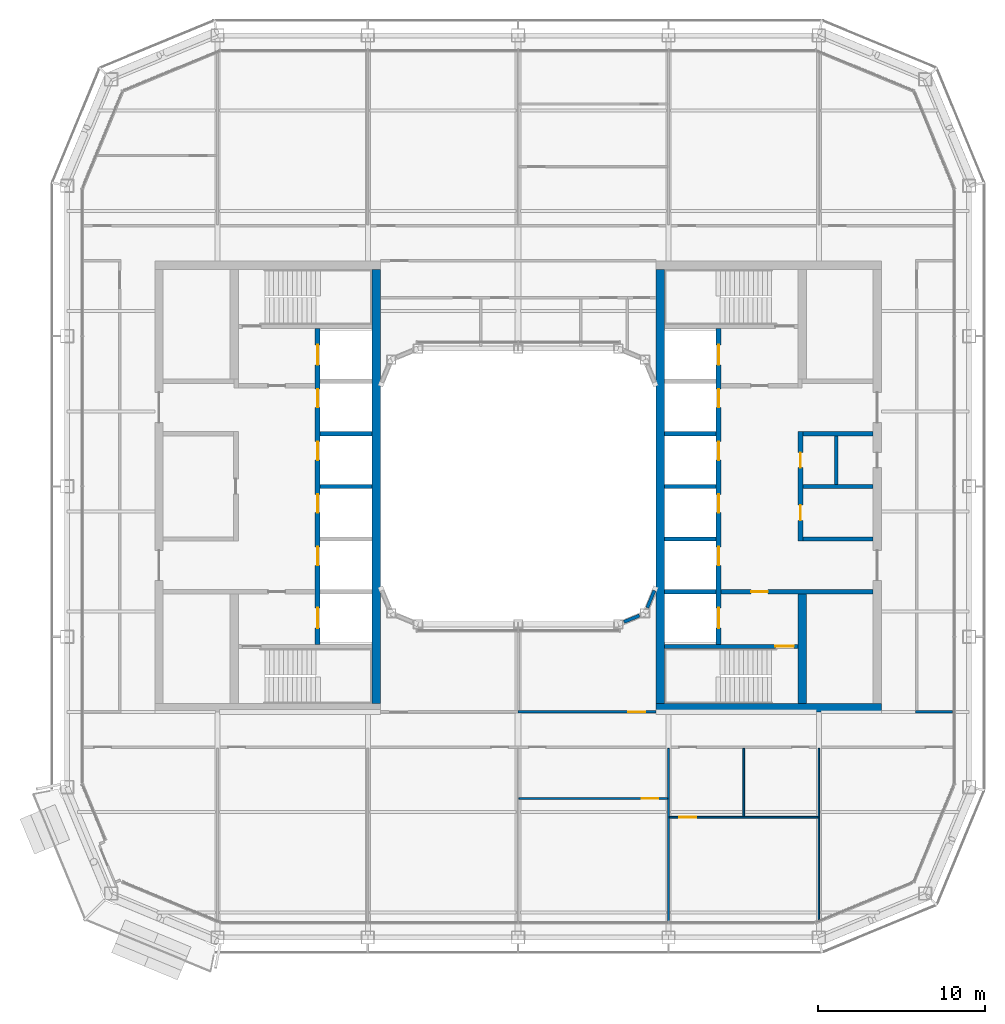
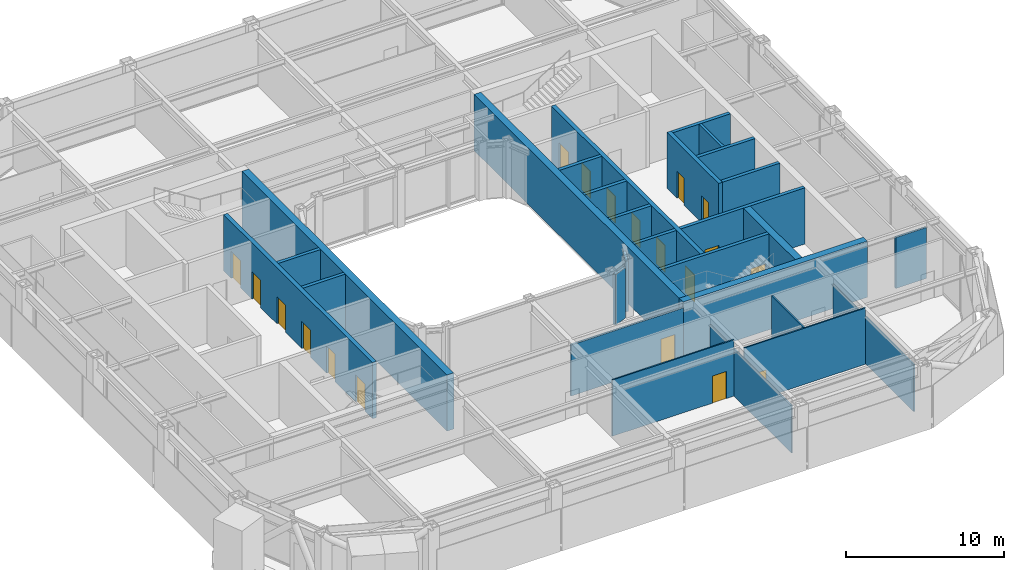
# One storey, part 14 of 23: 28 walls, 19 doors, 19 openings.
"""IFC4 building model written with IfcOpenShell, lengths in metres."""

import ifcopenshell
import ifcopenshell.guid

model = None  # the IFC model being written
_history = None  # IfcOwnerHistory: only IFC2X3 demands one
_inside = {}  # id of a spatial element -> (the spatial element, [elements in it])
_under = {}  # id of a project, library or spatial element -> (it, [spatial elements below it])
_declared = {}  # id of a project -> (the project, [libraries it declares])
_typed = {}  # id of a type object -> (the type object, [elements of that type])
_made_of = {}  # id of a material, layer set ... -> (it, [elements and type objects made of it])


def new_model(schema):
    """Start an empty IFC model of exactly this schema.

    Asked for "IFC4X3", IfcOpenShell would pick the latest addendum, in which some entities
    have other attributes; the version numbers below select the first issue.
    IFC2X3 requires an IfcOwnerHistory on every rooted entity: one is made here for all.
    """
    global model, _history
    if schema == "IFC4X3":
        model = ifcopenshell.file(schema_version=(4, 3, 0, 0))
    else:
        model = ifcopenshell.file(schema=schema)
    _inside.clear()
    _under.clear()
    _declared.clear()
    _typed.clear()
    _made_of.clear()
    _history = None
    if model.schema == "IFC2X3":
        org = make("IfcOrganization", Name="unknown")
        user = make(
            "IfcPersonAndOrganization",
            ThePerson=make("IfcPerson", FamilyName="unknown"),
            TheOrganization=org,
        )
        app = make(
            "IfcApplication",
            ApplicationDeveloper=org,
            Version="unknown",
            ApplicationFullName="unknown",
            ApplicationIdentifier="unknown",
        )
        _history = make(
            "IfcOwnerHistory",
            OwningUser=user,
            OwningApplication=app,
            ChangeAction="ADDED",
            CreationDate=0,
        )
    return model


def make(cls, **values):
    """One entity of the class cls with the attributes given. An attribute that is None is left unset."""
    return model.create_entity(
        cls, **{name: value for name, value in values.items() if value is not None}
    )


def rooted(cls, **values):
    """An entity with a GlobalId (a new one), such as an element, a storey or a relation."""
    return make(cls, GlobalId=ifcopenshell.guid.new(), OwnerHistory=_history, **values)


def si_unit(unit_type, name, prefix=None):
    """IfcSIUnit, for example si_unit("LENGTHUNIT", "METRE", prefix="MILLI")."""
    return make("IfcSIUnit", UnitType=unit_type, Prefix=prefix, Name=name)


def assignment(units):
    """IfcUnitAssignment: the units of a project."""
    return None if units is None else make("IfcUnitAssignment", Units=units)


def point(xyz):
    """IfcCartesianPoint."""
    return None if xyz is None else make("IfcCartesianPoint", Coordinates=xyz)


def direction(xyz):
    """IfcDirection."""
    return None if xyz is None else make("IfcDirection", DirectionRatios=xyz)


def frame(location, z_axis=None, x_axis=None):
    """IfcAxis2Placement3D, a coordinate frame: its origin and axes. An axis left out is left unset."""
    return make(
        "IfcAxis2Placement3D",
        Location=point(location),
        Axis=direction(z_axis),
        RefDirection=direction(x_axis),
    )


def frame_2d(location, x_axis=None):
    """IfcAxis2Placement2D, a coordinate frame in the plane: its origin and x axis."""
    return make(
        "IfcAxis2Placement2D", Location=point(location), RefDirection=direction(x_axis)
    )


def origin():
    """The frame at (0, 0, 0) with its axes left unset."""
    return frame((0.0, 0.0, 0.0))


def place(relative_to, where):
    """IfcLocalPlacement: puts the frame where relative to a parent placement (None: the world)."""
    return make(
        "IfcLocalPlacement", PlacementRelTo=relative_to, RelativePlacement=where
    )


def context(
    kind, dimensions, precision=None, world=None, true_north=None, identifier=None
):
    """IfcGeometricRepresentationContext, for example the 3D "Model" context."""
    return make(
        "IfcGeometricRepresentationContext",
        ContextIdentifier=identifier,
        ContextType=kind,
        CoordinateSpaceDimension=dimensions,
        Precision=precision,
        WorldCoordinateSystem=world,
        TrueNorth=true_north,
    )


def subcontext(parent, identifier, kind, view, scale=None):
    """IfcGeometricRepresentationSubContext, for example "Body" below "Model"."""
    return make(
        "IfcGeometricRepresentationSubContext",
        ContextIdentifier=identifier,
        ContextType=kind,
        ParentContext=parent,
        TargetScale=scale,
        TargetView=view,
    )


def project(units=None, contexts=None):
    """IfcProject with its units and contexts."""
    return rooted(
        "IfcProject",
        Name="project",
        RepresentationContexts=contexts,
        UnitsInContext=assignment(units),
    )


def spatial(cls, under=None, at=None, **own):
    """A site, building, storey or space (cls), placed at a placement, below another one or the project."""
    s = rooted(cls, ObjectPlacement=at, **own)
    if under is not None:
        _under.setdefault(under.id(), (under, []))[1].append(s)
    return s


def profile(cls, at=None, kind="AREA", **sizes):
    """A parametric profile (cls). Its sizes go by their IFC names, for example OverallWidth=200.0."""
    return make(cls, ProfileType=kind, Position=at, **sizes)


def rectangle(**sizes):
    """IfcRectangleProfileDef."""
    return profile("IfcRectangleProfileDef", **sizes)


def extrude(swept, where, along, depth):
    """IfcExtrudedAreaSolid: the profile swept, set in the frame where, extruded along a direction by depth."""
    return make(
        "IfcExtrudedAreaSolid",
        SweptArea=swept,
        Position=where,
        ExtrudedDirection=direction(along),
        Depth=depth,
    )


def shape(context_of_items, identifier, shape_type, items):
    """IfcShapeRepresentation: the items that make up one representation, for example the "Body"."""
    return make(
        "IfcShapeRepresentation",
        ContextOfItems=context_of_items,
        RepresentationIdentifier=identifier,
        RepresentationType=shape_type,
        Items=items,
    )


def material(Name=None, Category=None):
    """IfcMaterial."""
    return make("IfcMaterial", Name=Name, Category=Category)


def layer(
    of_material, thickness, ventilated=None, Name=None, Category=None, Priority=None
):
    """IfcMaterialLayer: one layer of a wall or slab, of a material (None: an air gap)."""
    return make(
        "IfcMaterialLayer",
        Material=of_material,
        LayerThickness=thickness,
        IsVentilated=ventilated,
        Name=Name,
        Category=Category,
        Priority=Priority,
    )


def layer_set(layers, Name=None):
    """IfcMaterialLayerSet."""
    return make("IfcMaterialLayerSet", MaterialLayers=layers, LayerSetName=Name)


def made_of(thing, what):
    """Note that an element or type object is made of a material, layer set ...; save() writes the relation."""
    if what is not None:
        _made_of.setdefault(what.id(), (what, []))[1].append(thing)
    return thing


def type_object(cls, material=None, **own):
    """A type object (cls), such as IfcWallType, which elements share."""
    return made_of(rooted(cls, **own), material)


def element(
    cls,
    number,
    at=None,
    inside=None,
    cuts=None,
    type_object=None,
    material=None,
    context=None,
    identifier="Body",
    shape_type=None,
    held_by="IfcProductDefinitionShape",
    body=None,
    shapes=None,
    **own,
):
    """One element of the class cls, such as IfcWall. Its Tag is "e" and its number.

    at: its placement. inside: the storey or other place that contains it. cuts: it is an
    opening in that element (IfcRelVoidsElement). A single representation is given by context,
    identifier, shape_type and body (its items); several are given by shapes. held_by: the class
    of the entity that holds the representations. save() writes the other relations.
    """
    e = rooted(cls, Tag="e%d" % number, ObjectPlacement=at, **own)
    if body is not None:
        shapes = [shape(context, identifier, shape_type, body)]
    if shapes is not None:
        e.Representation = make(held_by, Representations=shapes)
    if inside is not None:
        _inside.setdefault(inside.id(), (inside, []))[1].append(e)
    if cuts is not None:
        rooted(
            "IfcRelVoidsElement", RelatingBuildingElement=cuts, RelatedOpeningElement=e
        )
    if type_object is not None:
        _typed.setdefault(type_object.id(), (type_object, []))[1].append(e)
    return made_of(e, material)


def fill(opening, filler):
    """IfcRelFillsElement: the door or window that sits in an opening."""
    return rooted(
        "IfcRelFillsElement",
        RelatingOpeningElement=opening,
        RelatedBuildingElement=filler,
    )


def aggregate(whole, parts):
    """IfcRelAggregates: a whole, such as a stair, and the parts it consists of."""
    return rooted("IfcRelAggregates", RelatingObject=whole, RelatedObjects=parts)


def save(model, path):
    """Write the relations noted so far, then the file.

    IfcRelAggregates (storeys below a building ...), IfcRelContainedInSpatialStructure (elements
    in a storey), IfcRelDefinesByType, IfcRelAssociatesMaterial and IfcRelDeclares: one each for
    every whole, place, type object, material and project.
    """
    for whole, parts in _under.values():
        aggregate(whole, parts)
    for where, things in _inside.values():
        rooted(
            "IfcRelContainedInSpatialStructure",
            RelatedElements=things,
            RelatingStructure=where,
        )
    for kind, things in _typed.values():
        rooted("IfcRelDefinesByType", RelatedObjects=things, RelatingType=kind)
    for what, things in _made_of.values():
        rooted("IfcRelAssociatesMaterial", RelatedObjects=things, RelatingMaterial=what)
    for by, libraries in _declared.values():
        rooted("IfcRelDeclares", RelatingContext=by, RelatedDefinitions=libraries)
    model.write(path)


model = new_model("IFC4")

# Units and contexts
model_context = context("Model", 3, precision=1e-05, world=origin(), true_north=direction((0.0, 1.0)))
body_context = subcontext(model_context, "Body", "Model", "MODEL_VIEW")
ifc_project = project(units=[si_unit("LENGTHUNIT", "METRE"), si_unit("AREAUNIT", "SQUARE_METRE"), si_unit("VOLUMEUNIT", "CUBIC_METRE"), si_unit("PLANEANGLEUNIT", "RADIAN"), si_unit("MASSUNIT", "GRAM", prefix="KILO")], contexts=[model_context])

# Site, building, storey
site_placement = place(None, origin())
site = spatial("IfcSite", under=ifc_project, at=site_placement, CompositionType="ELEMENT")
building_placement = place(site_placement, origin())
building = spatial("IfcBuilding", under=site, at=building_placement, Name="Siwar Civic Tower", CompositionType="ELEMENT")
storey_placement = place(building_placement, frame((0.0, 0.0, 269.199951171875)))
storey = spatial("IfcBuildingStorey", under=building, at=storey_placement, Name="L58", CompositionType="ELEMENT", Elevation=269.199951171875)

# Walls
ifc_material_1 = material(Name="Gypsum board on steel studs", Category="steel")
ifc_layer_1 = layer(ifc_material_1, 0.199951171875)
ifc_layer_set_1 = layer_set([ifc_layer_1], Name="Gypsum board on steel studs")
wall_type_1 = type_object("IfcWallType", Name="CORE-PARTITION-200", PredefinedType="PARTITIONING", material=ifc_layer_set_1)
wall_1_placement = place(storey_placement, frame((19.050048828125, 0.125, 0.0), z_axis=(0.0, 0.0, 1.0), x_axis=(0.0, 1.0, 0.0)))
element("IfcWall", 1, at=wall_1_placement, inside=storey, type_object=wall_type_1, Name="Core partition E", PredefinedType="PARTITIONING", context=body_context, shape_type="SweptSolid", body=[
    extrude(rectangle(XDim=2.89990234375, YDim=0.199951171875, at=frame_2d((1.449951171875, 0.0))), origin(), (0.0, 0.0, 1.0), 4.35009765625),
])
ifc_material_2 = material(Name="Concrete C60/75", Category="concrete")
ifc_layer_2 = layer(ifc_material_2, 0.25)
ifc_layer_set_2 = layer_set([ifc_layer_2], Name="Concrete C60/75")
wall_type_2 = type_object("IfcWallType", Name="CORE-WALL-RC250", PredefinedType="SHEAR", material=ifc_layer_set_2)
for number, where, z_axis, x_axis, name in (
    (2, (-8.75, 0.0, 0.0), (0.0, 0.0, 1.0), (-1.0, 0.0, 0.0), "Core wall W"),
    (3, (-8.75, 3.14990234375, 0.0), (0.0, 0.0, 1.0), (-1.0, 0.0, 0.0), "Core wall W"),
):
    element("IfcWall", number, at=place(storey_placement, frame(where, z_axis=z_axis, x_axis=x_axis)), inside=storey, type_object=wall_type_2, Name=name, PredefinedType="SHEAR", context=body_context, shape_type="SweptSolid", body=[
        extrude(rectangle(XDim=3.10009765625, YDim=0.25, at=frame_2d((1.550048828125, 0.0))), origin(), (0.0, 0.0, 1.0), 4.35009765625),
    ])

# Wall, opening, door
wall_2_placement = place(storey_placement, frame((12.14990234375, -6.300048828125, 0.0), z_axis=(0.0, 0.0, 1.0), x_axis=(1.0, 0.0, 0.0)))
wall_2 = element("IfcWall", 4, at=wall_2_placement, inside=storey, type_object=wall_type_2, Name="Core wall E", PredefinedType="SHEAR", context=body_context, shape_type="SweptSolid", body=[
    extrude(rectangle(XDim=9.10009765625, YDim=0.25, at=frame_2d((4.550048828125, 0.0))), origin(), (0.0, 0.0, 1.0), 4.35009765625),
])
opening_1_placement = place(wall_2_placement, frame((1.800048828125, 0.0, 0.0)))
opening_1 = element("IfcOpeningElement", 5, at=opening_1_placement, cuts=wall_2, Name="Opening L58-CE02", PredefinedType="OPENING", context=body_context, shape_type="SweptSolid", body=[
    extrude(rectangle(XDim=1.0, YDim=2.10009765625, at=frame_2d((0.5, 1.050048828125))), frame((0.0, 0.135009765625, 0.0), z_axis=(0.0, -1.0, 0.0), x_axis=(1.0, 0.0, 0.0)), (0.0, 0.0, 1.0), 0.27001953125),
])
ifc_material_3 = material(Name="Steel door leaf", Category="steel")
door_type_1 = type_object("IfcDoorType", Name="CORE-DOOR-FD30S", OperationType="SINGLE_SWING_LEFT", PredefinedType="DOOR", material=ifc_material_3)
door_1_placement = place(opening_1_placement, origin())
door_1 = element("IfcDoor", 6, at=door_1_placement, inside=storey, type_object=door_type_1, Name="Service lobby door L58-CE02", OperationType="SINGLE_SWING_LEFT", OverallHeight=2.10009765625, OverallWidth=1.0, PredefinedType="DOOR", context=body_context, shape_type="SweptSolid", body=[
    extrude(rectangle(XDim=1.0, YDim=2.10009765625, at=frame_2d((0.5, 1.050048828125))), frame((0.0, 0.02490234375, 0.0), z_axis=(0.0, -1.0, 0.0), x_axis=(1.0, 0.0, 0.0)), (0.0, 0.0, 1.0), 0.050048828125),
])
fill(opening_1, door_1)

# Walls
for number, where, z_axis, x_axis, name in (
    (7, (17.050048828125, 0.0, 0.0), (0.0, 0.0, 1.0), (1.0, 0.0, 0.0), "Core wall E"),
    (8, (17.050048828125, 3.14990234375, 0.0), (0.0, 0.0, 1.0), (1.0, 0.0, 0.0), "Core wall E"),
    (9, (17.050048828125, -3.14990234375, 0.0), (0.0, 0.0, 1.0), (1.0, 0.0, 0.0), "Core wall E"),
):
    element("IfcWall", number, at=place(storey_placement, frame(where, z_axis=z_axis, x_axis=x_axis)), inside=storey, type_object=wall_type_2, Name=name, PredefinedType="SHEAR", context=body_context, shape_type="SweptSolid", body=[
        extrude(rectangle(XDim=4.199951171875, YDim=0.25, at=frame_2d((2.10009765625, 0.0))), origin(), (0.0, 0.0, 1.0), 4.35009765625),
    ])
for number, where, z_axis, x_axis, name in (
    (10, (8.75, 0.0, 0.0), (0.0, 0.0, 1.0), (1.0, 0.0, 0.0), "Core wall E"),
    (11, (8.75, 3.14990234375, 0.0), (0.0, 0.0, 1.0), (1.0, 0.0, 0.0), "Core wall E"),
    (12, (8.75, -3.14990234375, 0.0), (0.0, 0.0, 1.0), (1.0, 0.0, 0.0), "Core wall E"),
    (13, (8.75, -6.300048828125, 0.0), (0.0, 0.0, 1.0), (1.0, 0.0, 0.0), "Core wall E"),
):
    element("IfcWall", number, at=place(storey_placement, frame(where, z_axis=z_axis, x_axis=x_axis)), inside=storey, type_object=wall_type_2, Name=name, PredefinedType="SHEAR", context=body_context, shape_type="SweptSolid", body=[
        extrude(rectangle(XDim=3.10009765625, YDim=0.25, at=frame_2d((1.550048828125, 0.0))), origin(), (0.0, 0.0, 1.0), 4.35009765625),
    ])

# Wall, opening, door
wall_3_placement = place(storey_placement, frame((8.75, -9.574951171875, 0.0), z_axis=(0.0, 0.0, 1.0), x_axis=(1.0, 0.0, 0.0)))
wall_3 = element("IfcWall", 14, at=wall_3_placement, inside=storey, type_object=wall_type_2, Name="Core wall E", PredefinedType="SHEAR", context=body_context, shape_type="SweptSolid", body=[
    extrude(rectangle(XDim=8.0, YDim=0.25, at=frame_2d((4.0, 0.0))), origin(), (0.0, 0.0, 1.0), 4.35009765625),
])
opening_2_placement = place(wall_3_placement, frame((6.64990234375, 0.0, 0.0)))
opening_2 = element("IfcOpeningElement", 15, at=opening_2_placement, cuts=wall_3, Name="Opening L58-CE04", PredefinedType="OPENING", context=body_context, shape_type="SweptSolid", body=[
    extrude(rectangle(XDim=1.10009765625, YDim=2.10009765625, at=frame_2d((0.550048828125, 1.050048828125))), frame((0.0, 0.135009765625, 0.0), z_axis=(0.0, -1.0, 0.0), x_axis=(1.0, 0.0, 0.0)), (0.0, 0.0, 1.0), 0.27001953125),
])
ifc_material_4 = material(Name="Steel door leaf", Category="steel")
door_type_2 = type_object("IfcDoorType", Name="CORE-DOOR-FD60S", OperationType="SINGLE_SWING_LEFT", PredefinedType="DOOR", material=ifc_material_4)
door_2_placement = place(opening_2_placement, origin())
door_2 = element("IfcDoor", 16, at=door_2_placement, inside=storey, type_object=door_type_2, Name="Stair door L58-CE04", OperationType="SINGLE_SWING_RIGHT", OverallHeight=2.10009765625, OverallWidth=1.10009765625, PredefinedType="DOOR", context=body_context, shape_type="SweptSolid", body=[
    extrude(rectangle(XDim=1.10009765625, YDim=2.10009765625, at=frame_2d((0.550048828125, 1.050048828125))), frame((0.0, 0.02490234375, 0.0), z_axis=(0.0, -1.0, 0.0), x_axis=(1.0, 0.0, 0.0)), (0.0, 0.0, 1.0), 0.050048828125),
])
fill(opening_2, door_2)

# Wall, openings, doors
ifc_material_5 = material(Name="Concrete C60/75", Category="concrete")
ifc_layer_3 = layer(ifc_material_5, 0.300048828125)
ifc_layer_set_3 = layer_set([ifc_layer_3], Name="Concrete C60/75")
wall_type_3 = type_object("IfcWallType", Name="CORE-WALL-RC300", PredefinedType="SHEAR", material=ifc_layer_set_3)
wall_4_placement = place(storey_placement, frame((-12.0, -9.449951171875, 0.0), z_axis=(0.0, 0.0, 1.0), x_axis=(0.0, 1.0, 0.0)))
wall_4 = element("IfcWall", 17, at=wall_4_placement, inside=storey, type_object=wall_type_3, Name="Core wall W", PredefinedType="SHEAR", context=body_context, shape_type="SweptSolid", body=[
    extrude(rectangle(XDim=18.89990234375, YDim=0.300048828125, at=frame_2d((9.449951171875, 0.0))), origin(), (0.0, 0.0, 1.0), 4.35009765625),
])
opening_3_placement = place(wall_4_placement, frame((4.72509765625, 0.0, 0.0)))
opening_3 = element("IfcOpeningElement", 18, at=opening_3_placement, cuts=wall_4, Name="Opening L58-CW07", PredefinedType="OPENING", context=body_context, shape_type="SweptSolid", body=[
    extrude(rectangle(XDim=1.10009765625, YDim=2.10009765625, at=frame_2d((0.550048828125, 1.050048828125))), frame((0.0, 0.16015625, 0.0), z_axis=(0.0, -1.0, 0.0), x_axis=(1.0, 0.0, 0.0)), (0.0, 0.0, 1.0), 0.320068359375),
])
opening_4_placement = place(wall_4_placement, frame((7.875, 0.0, 0.0)))
opening_4 = element("IfcOpeningElement", 19, at=opening_4_placement, cuts=wall_4, Name="Opening L58-CW08", PredefinedType="OPENING", context=body_context, shape_type="SweptSolid", body=[
    extrude(rectangle(XDim=1.10009765625, YDim=2.10009765625, at=frame_2d((0.550048828125, 1.050048828125))), frame((0.0, 0.16015625, 0.0), z_axis=(0.0, -1.0, 0.0), x_axis=(1.0, 0.0, 0.0)), (0.0, 0.0, 1.0), 0.320068359375),
])
opening_5_placement = place(wall_4_placement, frame((11.02490234375, 0.0, 0.0)))
opening_5 = element("IfcOpeningElement", 20, at=opening_5_placement, cuts=wall_4, Name="Opening L58-CW09", PredefinedType="OPENING", context=body_context, shape_type="SweptSolid", body=[
    extrude(rectangle(XDim=1.10009765625, YDim=2.10009765625, at=frame_2d((0.550048828125, 1.050048828125))), frame((0.0, 0.16015625, 0.0), z_axis=(0.0, -1.0, 0.0), x_axis=(1.0, 0.0, 0.0)), (0.0, 0.0, 1.0), 0.320068359375),
])
opening_6_placement = place(wall_4_placement, frame((14.175048828125, 0.0, 0.0)))
opening_6 = element("IfcOpeningElement", 21, at=opening_6_placement, cuts=wall_4, Name="Opening L58-CW10", PredefinedType="OPENING", context=body_context, shape_type="SweptSolid", body=[
    extrude(rectangle(XDim=1.10009765625, YDim=2.10009765625, at=frame_2d((0.550048828125, 1.050048828125))), frame((0.0, 0.16015625, 0.0), z_axis=(0.0, -1.0, 0.0), x_axis=(1.0, 0.0, 0.0)), (0.0, 0.0, 1.0), 0.320068359375),
])
opening_7_placement = place(wall_4_placement, frame((16.72509765625, 0.0, 0.0)))
opening_7 = element("IfcOpeningElement", 22, at=opening_7_placement, cuts=wall_4, Name="Opening L58-CW11", PredefinedType="OPENING", context=body_context, shape_type="SweptSolid", body=[
    extrude(rectangle(XDim=1.199951171875, YDim=2.10009765625, at=frame_2d((0.60009765625, 1.050048828125))), frame((0.0, 0.16015625, 0.0), z_axis=(0.0, -1.0, 0.0), x_axis=(1.0, 0.0, 0.0)), (0.0, 0.0, 1.0), 0.320068359375),
])
opening_8_placement = place(wall_4_placement, frame((0.97509765625, 0.0, 0.0)))
opening_8 = element("IfcOpeningElement", 23, at=opening_8_placement, cuts=wall_4, Name="Opening L58-CW12", PredefinedType="OPENING", context=body_context, shape_type="SweptSolid", body=[
    extrude(rectangle(XDim=1.199951171875, YDim=2.10009765625, at=frame_2d((0.60009765625, 1.050048828125))), frame((0.0, 0.16015625, 0.0), z_axis=(0.0, -1.0, 0.0), x_axis=(1.0, 0.0, 0.0)), (0.0, 0.0, 1.0), 0.320068359375),
])
ifc_material_6 = material(Name="Steel door leaf", Category="steel")
door_type_3 = type_object("IfcDoorType", Name="CORE-DOOR-LD", OperationType="DOUBLE_DOOR_SLIDING", PredefinedType="DOOR", material=ifc_material_6)
door_3_placement = place(opening_3_placement, origin())
door_3 = element("IfcDoor", 24, at=door_3_placement, inside=storey, type_object=door_type_3, Name="Landing door HR1 L58-CW07", OperationType="DOUBLE_DOOR_SLIDING", OverallHeight=2.10009765625, OverallWidth=1.10009765625, PredefinedType="DOOR", context=body_context, shape_type="SweptSolid", body=[
    extrude(rectangle(XDim=1.10009765625, YDim=2.10009765625, at=frame_2d((0.550048828125, 1.050048828125))), frame((0.0, 0.02490234375, 0.0), z_axis=(0.0, -1.0, 0.0), x_axis=(1.0, 0.0, 0.0)), (0.0, 0.0, 1.0), 0.050048828125),
])
fill(opening_3, door_3)
door_4_placement = place(opening_4_placement, origin())
door_4 = element("IfcDoor", 25, at=door_4_placement, inside=storey, type_object=door_type_3, Name="Landing door HR2 L58-CW08", OperationType="DOUBLE_DOOR_SLIDING", OverallHeight=2.10009765625, OverallWidth=1.10009765625, PredefinedType="DOOR", context=body_context, shape_type="SweptSolid", body=[
    extrude(rectangle(XDim=1.10009765625, YDim=2.10009765625, at=frame_2d((0.550048828125, 1.050048828125))), frame((0.0, 0.02490234375, 0.0), z_axis=(0.0, -1.0, 0.0), x_axis=(1.0, 0.0, 0.0)), (0.0, 0.0, 1.0), 0.050048828125),
])
fill(opening_4, door_4)
door_5_placement = place(opening_5_placement, origin())
door_5 = element("IfcDoor", 26, at=door_5_placement, inside=storey, type_object=door_type_3, Name="Landing door HR3 L58-CW09", OperationType="DOUBLE_DOOR_SLIDING", OverallHeight=2.10009765625, OverallWidth=1.10009765625, PredefinedType="DOOR", context=body_context, shape_type="SweptSolid", body=[
    extrude(rectangle(XDim=1.10009765625, YDim=2.10009765625, at=frame_2d((0.550048828125, 1.050048828125))), frame((0.0, 0.02490234375, 0.0), z_axis=(0.0, -1.0, 0.0), x_axis=(1.0, 0.0, 0.0)), (0.0, 0.0, 1.0), 0.050048828125),
])
fill(opening_5, door_5)
door_6_placement = place(opening_6_placement, origin())
door_6 = element("IfcDoor", 27, at=door_6_placement, inside=storey, type_object=door_type_3, Name="Landing door HR4 L58-CW10", OperationType="DOUBLE_DOOR_SLIDING", OverallHeight=2.10009765625, OverallWidth=1.10009765625, PredefinedType="DOOR", context=body_context, shape_type="SweptSolid", body=[
    extrude(rectangle(XDim=1.10009765625, YDim=2.10009765625, at=frame_2d((0.550048828125, 1.050048828125))), frame((0.0, 0.02490234375, 0.0), z_axis=(0.0, -1.0, 0.0), x_axis=(1.0, 0.0, 0.0)), (0.0, 0.0, 1.0), 0.050048828125),
])
fill(opening_6, door_6)
ifc_material_7 = material(Name="Steel door leaf", Category="steel")
door_type_4 = type_object("IfcDoorType", Name="CORE-DOOR-LDW", OperationType="DOUBLE_DOOR_SLIDING", PredefinedType="DOOR", material=ifc_material_7)
door_7_placement = place(opening_7_placement, origin())
door_7 = element("IfcDoor", 28, at=door_7_placement, inside=storey, type_object=door_type_4, Name="Landing door FF1 L58-CW11", OperationType="DOUBLE_DOOR_SLIDING", OverallHeight=2.10009765625, OverallWidth=1.199951171875, PredefinedType="DOOR", context=body_context, shape_type="SweptSolid", body=[
    extrude(rectangle(XDim=1.199951171875, YDim=2.10009765625, at=frame_2d((0.60009765625, 1.050048828125))), frame((0.0, 0.02490234375, 0.0), z_axis=(0.0, -1.0, 0.0), x_axis=(1.0, 0.0, 0.0)), (0.0, 0.0, 1.0), 0.050048828125),
])
fill(opening_7, door_7)
door_8_placement = place(opening_8_placement, origin())
door_8 = element("IfcDoor", 29, at=door_8_placement, inside=storey, type_object=door_type_4, Name="Landing door SV1 L58-CW12", OperationType="DOUBLE_DOOR_SLIDING", OverallHeight=2.10009765625, OverallWidth=1.199951171875, PredefinedType="DOOR", context=body_context, shape_type="SweptSolid", body=[
    extrude(rectangle(XDim=1.199951171875, YDim=2.10009765625, at=frame_2d((0.60009765625, 1.050048828125))), frame((0.0, 0.02490234375, 0.0), z_axis=(0.0, -1.0, 0.0), x_axis=(1.0, 0.0, 0.0)), (0.0, 0.0, 1.0), 0.050048828125),
])
fill(opening_8, door_8)

wall_5_placement = place(storey_placement, frame((12.0, -9.449951171875, 0.0), z_axis=(0.0, 0.0, 1.0), x_axis=(0.0, 1.0, 0.0)))
wall_5 = element("IfcWall", 30, at=wall_5_placement, inside=storey, type_object=wall_type_3, Name="Core wall E", PredefinedType="SHEAR", context=body_context, shape_type="SweptSolid", body=[
    extrude(rectangle(XDim=18.89990234375, YDim=0.300048828125, at=frame_2d((9.449951171875, 0.0))), origin(), (0.0, 0.0, 1.0), 4.35009765625),
])
opening_9_placement = place(wall_5_placement, frame((4.72509765625, 0.0, 0.0)))
opening_9 = element("IfcOpeningElement", 31, at=opening_9_placement, cuts=wall_5, Name="Opening L58-CE07", PredefinedType="OPENING", context=body_context, shape_type="SweptSolid", body=[
    extrude(rectangle(XDim=1.10009765625, YDim=2.10009765625, at=frame_2d((0.550048828125, 1.050048828125))), frame((0.0, 0.16015625, 0.0), z_axis=(0.0, -1.0, 0.0), x_axis=(1.0, 0.0, 0.0)), (0.0, 0.0, 1.0), 0.320068359375),
])
opening_10_placement = place(wall_5_placement, frame((7.875, 0.0, 0.0)))
opening_10 = element("IfcOpeningElement", 32, at=opening_10_placement, cuts=wall_5, Name="Opening L58-CE08", PredefinedType="OPENING", context=body_context, shape_type="SweptSolid", body=[
    extrude(rectangle(XDim=1.10009765625, YDim=2.10009765625, at=frame_2d((0.550048828125, 1.050048828125))), frame((0.0, 0.16015625, 0.0), z_axis=(0.0, -1.0, 0.0), x_axis=(1.0, 0.0, 0.0)), (0.0, 0.0, 1.0), 0.320068359375),
])
opening_11_placement = place(wall_5_placement, frame((11.02490234375, 0.0, 0.0)))
opening_11 = element("IfcOpeningElement", 33, at=opening_11_placement, cuts=wall_5, Name="Opening L58-CE09", PredefinedType="OPENING", context=body_context, shape_type="SweptSolid", body=[
    extrude(rectangle(XDim=1.10009765625, YDim=2.10009765625, at=frame_2d((0.550048828125, 1.050048828125))), frame((0.0, 0.16015625, 0.0), z_axis=(0.0, -1.0, 0.0), x_axis=(1.0, 0.0, 0.0)), (0.0, 0.0, 1.0), 0.320068359375),
])
opening_12_placement = place(wall_5_placement, frame((14.175048828125, 0.0, 0.0)))
opening_12 = element("IfcOpeningElement", 34, at=opening_12_placement, cuts=wall_5, Name="Opening L58-CE10", PredefinedType="OPENING", context=body_context, shape_type="SweptSolid", body=[
    extrude(rectangle(XDim=1.10009765625, YDim=2.10009765625, at=frame_2d((0.550048828125, 1.050048828125))), frame((0.0, 0.16015625, 0.0), z_axis=(0.0, -1.0, 0.0), x_axis=(1.0, 0.0, 0.0)), (0.0, 0.0, 1.0), 0.320068359375),
])
opening_13_placement = place(wall_5_placement, frame((16.72509765625, 0.0, 0.0)))
opening_13 = element("IfcOpeningElement", 35, at=opening_13_placement, cuts=wall_5, Name="Opening L58-CE11", PredefinedType="OPENING", context=body_context, shape_type="SweptSolid", body=[
    extrude(rectangle(XDim=1.199951171875, YDim=2.10009765625, at=frame_2d((0.60009765625, 1.050048828125))), frame((0.0, 0.16015625, 0.0), z_axis=(0.0, -1.0, 0.0), x_axis=(1.0, 0.0, 0.0)), (0.0, 0.0, 1.0), 0.320068359375),
])
opening_14_placement = place(wall_5_placement, frame((0.97509765625, 0.0, 0.0)))
opening_14 = element("IfcOpeningElement", 36, at=opening_14_placement, cuts=wall_5, Name="Opening L58-CE12", PredefinedType="OPENING", context=body_context, shape_type="SweptSolid", body=[
    extrude(rectangle(XDim=1.199951171875, YDim=2.10009765625, at=frame_2d((0.60009765625, 1.050048828125))), frame((0.0, 0.16015625, 0.0), z_axis=(0.0, -1.0, 0.0), x_axis=(1.0, 0.0, 0.0)), (0.0, 0.0, 1.0), 0.320068359375),
])
door_9_placement = place(opening_9_placement, origin())
door_9 = element("IfcDoor", 37, at=door_9_placement, inside=storey, type_object=door_type_3, Name="Landing door HR5 L58-CE07", OperationType="DOUBLE_DOOR_SLIDING", OverallHeight=2.10009765625, OverallWidth=1.10009765625, PredefinedType="DOOR", context=body_context, shape_type="SweptSolid", body=[
    extrude(rectangle(XDim=1.10009765625, YDim=2.10009765625, at=frame_2d((0.550048828125, 1.050048828125))), frame((0.0, 0.02490234375, 0.0), z_axis=(0.0, -1.0, 0.0), x_axis=(1.0, 0.0, 0.0)), (0.0, 0.0, 1.0), 0.050048828125),
])
fill(opening_9, door_9)
door_10_placement = place(opening_10_placement, origin())
door_10 = element("IfcDoor", 38, at=door_10_placement, inside=storey, type_object=door_type_3, Name="Landing door HR6 L58-CE08", OperationType="DOUBLE_DOOR_SLIDING", OverallHeight=2.10009765625, OverallWidth=1.10009765625, PredefinedType="DOOR", context=body_context, shape_type="SweptSolid", body=[
    extrude(rectangle(XDim=1.10009765625, YDim=2.10009765625, at=frame_2d((0.550048828125, 1.050048828125))), frame((0.0, 0.02490234375, 0.0), z_axis=(0.0, -1.0, 0.0), x_axis=(1.0, 0.0, 0.0)), (0.0, 0.0, 1.0), 0.050048828125),
])
fill(opening_10, door_10)
door_11_placement = place(opening_11_placement, origin())
door_11 = element("IfcDoor", 39, at=door_11_placement, inside=storey, type_object=door_type_3, Name="Landing door HR7 L58-CE09", OperationType="DOUBLE_DOOR_SLIDING", OverallHeight=2.10009765625, OverallWidth=1.10009765625, PredefinedType="DOOR", context=body_context, shape_type="SweptSolid", body=[
    extrude(rectangle(XDim=1.10009765625, YDim=2.10009765625, at=frame_2d((0.550048828125, 1.050048828125))), frame((0.0, 0.02490234375, 0.0), z_axis=(0.0, -1.0, 0.0), x_axis=(1.0, 0.0, 0.0)), (0.0, 0.0, 1.0), 0.050048828125),
])
fill(opening_11, door_11)
door_12_placement = place(opening_12_placement, origin())
door_12 = element("IfcDoor", 40, at=door_12_placement, inside=storey, type_object=door_type_3, Name="Landing door HR8 L58-CE10", OperationType="DOUBLE_DOOR_SLIDING", OverallHeight=2.10009765625, OverallWidth=1.10009765625, PredefinedType="DOOR", context=body_context, shape_type="SweptSolid", body=[
    extrude(rectangle(XDim=1.10009765625, YDim=2.10009765625, at=frame_2d((0.550048828125, 1.050048828125))), frame((0.0, 0.02490234375, 0.0), z_axis=(0.0, -1.0, 0.0), x_axis=(1.0, 0.0, 0.0)), (0.0, 0.0, 1.0), 0.050048828125),
])
fill(opening_12, door_12)
door_13_placement = place(opening_13_placement, origin())
door_13 = element("IfcDoor", 41, at=door_13_placement, inside=storey, type_object=door_type_4, Name="Landing door FF2 L58-CE11", OperationType="DOUBLE_DOOR_SLIDING", OverallHeight=2.10009765625, OverallWidth=1.199951171875, PredefinedType="DOOR", context=body_context, shape_type="SweptSolid", body=[
    extrude(rectangle(XDim=1.199951171875, YDim=2.10009765625, at=frame_2d((0.60009765625, 1.050048828125))), frame((0.0, 0.02490234375, 0.0), z_axis=(0.0, -1.0, 0.0), x_axis=(1.0, 0.0, 0.0)), (0.0, 0.0, 1.0), 0.050048828125),
])
fill(opening_13, door_13)
door_14_placement = place(opening_14_placement, origin())
door_14 = element("IfcDoor", 42, at=door_14_placement, inside=storey, type_object=door_type_4, Name="Landing door SV2 L58-CE12", OperationType="DOUBLE_DOOR_SLIDING", OverallHeight=2.10009765625, OverallWidth=1.199951171875, PredefinedType="DOOR", context=body_context, shape_type="SweptSolid", body=[
    extrude(rectangle(XDim=1.199951171875, YDim=2.10009765625, at=frame_2d((0.60009765625, 1.050048828125))), frame((0.0, 0.02490234375, 0.0), z_axis=(0.0, -1.0, 0.0), x_axis=(1.0, 0.0, 0.0)), (0.0, 0.0, 1.0), 0.050048828125),
])
fill(opening_14, door_14)

wall_6_placement = place(storey_placement, frame((16.89990234375, -3.27490234375, 0.0), z_axis=(0.0, 0.0, 1.0), x_axis=(0.0, 1.0, 0.0)))
wall_6 = element("IfcWall", 43, at=wall_6_placement, inside=storey, type_object=wall_type_3, Name="Core wall E", PredefinedType="SHEAR", context=body_context, shape_type="SweptSolid", body=[
    extrude(rectangle(XDim=6.5498046875, YDim=0.300048828125, at=frame_2d((3.27490234375, 0.0))), origin(), (0.0, 0.0, 1.0), 4.35009765625),
])
opening_15_placement = place(wall_6_placement, frame((1.25, 0.0, 0.0)))
opening_15 = element("IfcOpeningElement", 44, at=opening_15_placement, cuts=wall_6, Name="Opening L58-CE13", PredefinedType="OPENING", context=body_context, shape_type="SweptSolid", body=[
    extrude(rectangle(XDim=0.89990234375, YDim=2.10009765625, at=frame_2d((0.449951171875, 1.050048828125))), frame((0.0, 0.16015625, 0.0), z_axis=(0.0, -1.0, 0.0), x_axis=(1.0, 0.0, 0.0)), (0.0, 0.0, 1.0), 0.320068359375),
])
opening_16_placement = place(wall_6_placement, frame((4.39990234375, 0.0, 0.0)))
opening_16 = element("IfcOpeningElement", 45, at=opening_16_placement, cuts=wall_6, Name="Opening L58-CE14", PredefinedType="OPENING", context=body_context, shape_type="SweptSolid", body=[
    extrude(rectangle(XDim=0.89990234375, YDim=2.10009765625, at=frame_2d((0.449951171875, 1.050048828125))), frame((0.0, 0.16015625, 0.0), z_axis=(0.0, -1.0, 0.0), x_axis=(1.0, 0.0, 0.0)), (0.0, 0.0, 1.0), 0.320068359375),
])
ifc_material_8 = material(Name="Steel door leaf", Category="steel")
door_type_5 = type_object("IfcDoorType", Name="CORE-DOOR-ROOM", OperationType="SINGLE_SWING_LEFT", PredefinedType="DOOR", material=ifc_material_8)
door_15_placement = place(opening_15_placement, origin())
door_15 = element("IfcDoor", 46, at=door_15_placement, inside=storey, type_object=door_type_5, Name="Core room door L58-CE13", OperationType="SINGLE_SWING_RIGHT", OverallHeight=2.10009765625, OverallWidth=0.89990234375, PredefinedType="DOOR", context=body_context, shape_type="SweptSolid", body=[
    extrude(rectangle(XDim=0.89990234375, YDim=2.10009765625, at=frame_2d((0.449951171875, 1.050048828125))), frame((0.0, 0.02490234375, 0.0), z_axis=(0.0, -1.0, 0.0), x_axis=(1.0, 0.0, 0.0)), (0.0, 0.0, 1.0), 0.050048828125),
])
fill(opening_15, door_15)
door_16_placement = place(opening_16_placement, origin())
door_16 = element("IfcDoor", 47, at=door_16_placement, inside=storey, type_object=door_type_5, Name="Core room door L58-CE14", OperationType="SINGLE_SWING_LEFT", OverallHeight=2.10009765625, OverallWidth=0.89990234375, PredefinedType="DOOR", context=body_context, shape_type="SweptSolid", body=[
    extrude(rectangle(XDim=0.89990234375, YDim=2.10009765625, at=frame_2d((0.449951171875, 1.050048828125))), frame((0.0, 0.02490234375, 0.0), z_axis=(0.0, -1.0, 0.0), x_axis=(1.0, 0.0, 0.0)), (0.0, 0.0, 1.0), 0.050048828125),
])
fill(opening_16, door_16)

# Walls
ifc_material_9 = material(Name="Concrete C60/75", Category="concrete")
ifc_layer_4 = layer(ifc_material_9, 0.5)
ifc_layer_set_4 = layer_set([ifc_layer_4], Name="Concrete C60/75")
wall_type_4 = type_object("IfcWallType", Name="CORE-WALL-RC500", PredefinedType="SHEAR", material=ifc_layer_set_4)
wall_7_placement = place(storey_placement, frame((17.0, -13.0, 0.0), z_axis=(0.0, 0.0, 1.0), x_axis=(0.0, 1.0, 0.0)))
element("IfcWall", 48, at=wall_7_placement, inside=storey, type_object=wall_type_4, Name="Core wall E", PredefinedType="SHEAR", context=body_context, shape_type="SweptSolid", body=[
    extrude(rectangle(XDim=6.574951171875, YDim=0.5, at=frame_2d((3.28759765625, 0.0))), origin(), (0.0, 0.0, 1.0), 4.35009765625),
])
wall_8_placement = place(storey_placement, frame((8.25, -13.25, 0.0), z_axis=(0.0, 0.0, 1.0), x_axis=(1.0, 0.0, 0.0)))
element("IfcWall", 49, at=wall_8_placement, inside=storey, type_object=wall_type_4, Name="Core wall E", PredefinedType="SHEAR", context=body_context, shape_type="SweptSolid", body=[
    extrude(rectangle(XDim=13.5, YDim=0.5, at=frame_2d((6.75, 0.0))), origin(), (0.0, 0.0, 1.0), 4.35009765625),
])
ifc_material_10 = material(Name="Concrete C60/75", Category="concrete")
ifc_layer_5 = layer(ifc_material_10, 0.5)
ifc_layer_set_5 = layer_set([ifc_layer_5], Name="Concrete C60/75")
wall_type_5 = type_object("IfcWallType", Name="CORE-WALL-RC500-EXT", PredefinedType="SHEAR", material=ifc_layer_set_5)
for number, where, z_axis, x_axis, name in (
    (50, (-8.5, -13.0, 0.0), (0.0, 0.0, 1.0), (0.0, 1.0, 0.0), "Core wall W"),
    (51, (8.5, -13.0, 0.0), (0.0, 0.0, 1.0), (0.0, 1.0, 0.0), "Core wall E"),
):
    element("IfcWall", number, at=place(storey_placement, frame(where, z_axis=z_axis, x_axis=x_axis)), inside=storey, type_object=wall_type_5, Name=name, PredefinedType="SHEAR", context=body_context, shape_type="SweptSolid", body=[
        extrude(rectangle(XDim=26.0, YDim=0.5, at=frame_2d((13.0, 0.0))), origin(), (0.0, 0.0, 1.0), 4.35009765625),
    ])

# Wall, opening, door
ifc_material_11 = material(Name="Gypsum board on steel studs", Category="steel")
ifc_layer_6 = layer(ifc_material_11, 0.14990234375)
ifc_layer_set_6 = layer_set([ifc_layer_6], Name="Gypsum board on steel studs")
wall_type_6 = type_object("IfcWallType", Name="CORRIDOR PARTITION 150 EI 30", PredefinedType="PARTITIONING", material=ifc_layer_set_6)
wall_9_placement = place(storey_placement, frame((0.0, -13.5, 0.0), z_axis=(0.0, 0.0, 1.0), x_axis=(1.0, 0.0, 0.0)))
wall_9 = element("IfcWall", 52, at=wall_9_placement, inside=storey, type_object=wall_type_6, Name="L58/wall/P05", PredefinedType="PARTITIONING", context=body_context, shape_type="SweptSolid", body=[
    extrude(rectangle(XDim=8.25, YDim=0.14990234375, at=frame_2d((4.125, 0.0))), origin(), (0.0, 0.0, 1.0), 3.949951171875),
])
opening_17_placement = place(wall_9_placement, frame((6.60009765625, 0.0, 0.0)))
opening_17 = element("IfcOpeningElement", 53, at=opening_17_placement, cuts=wall_9, Name="Opening D1", PredefinedType="OPENING", context=body_context, shape_type="SweptSolid", body=[
    extrude(rectangle(XDim=1.0, YDim=2.10009765625, at=frame_2d((0.5, 1.050048828125))), frame((0.0, 0.0849609375, 0.0), z_axis=(0.0, -1.0, 0.0), x_axis=(1.0, 0.0, 0.0)), (0.0, 0.0, 1.0), 0.169921875),
])
ifc_material_12 = material(Name="Timber, painted", Category="wood")
door_type_6 = type_object("IfcDoorType", Name="DOOR 1000 X 2100 FD30", OperationType="SINGLE_SWING_LEFT", PredefinedType="DOOR", material=ifc_material_12)
door_17_placement = place(opening_17_placement, origin())
door_17 = element("IfcDoor", 54, at=door_17_placement, inside=storey, type_object=door_type_6, Name="L58-D27", OperationType="SINGLE_SWING_LEFT", OverallHeight=2.10009765625, OverallWidth=1.0, PredefinedType="DOOR", context=body_context, shape_type="SweptSolid", body=[
    extrude(rectangle(XDim=1.0, YDim=2.10009765625, at=frame_2d((0.5, 1.050048828125))), frame((0.0, 0.02490234375, 0.0), z_axis=(0.0, -1.0, 0.0), x_axis=(1.0, 0.0, 0.0)), (0.0, 0.0, 1.0), 0.050048828125),
])
fill(opening_17, door_17)

# Walls
wall_10_placement = place(storey_placement, frame((23.77490234375, -13.5, 0.0), z_axis=(0.0, 0.0, 1.0), x_axis=(1.0, 0.0, 0.0)))
element("IfcWall", 55, at=wall_10_placement, inside=storey, type_object=wall_type_6, Name="L58/wall/P06", PredefinedType="PARTITIONING", context=body_context, shape_type="SweptSolid", body=[
    extrude(rectangle(XDim=2.235107421875, YDim=0.14990234375, at=frame_2d((1.11767578125, 0.0))), origin(), (0.0, 0.0, 1.0), 3.949951171875),
])
ifc_material_13 = material(Name="Aluminium clad insulated panel", Category="aluminium")
ifc_layer_7 = layer(ifc_material_13, 0.199951171875)
ifc_layer_set_7 = layer_set([ifc_layer_7], Name="Aluminium clad insulated panel")
wall_type_7 = type_object("IfcWallType", Name="ENV-WALL-WELL", PredefinedType="STANDARD", material=ifc_layer_set_7)
wall_11_placement = place(storey_placement, frame((6.33203125, -8.112548828125, 0.0), z_axis=(0.0, 0.0, 1.0), x_axis=(0.923859650767, 0.382731427616, 0.0)))
element("IfcWall", 56, at=wall_11_placement, inside=storey, type_object=wall_type_7, Name="Light well corner wall SE1", PredefinedType="STANDARD", context=body_context, shape_type="SweptSolid", body=[
    extrude(rectangle(XDim=1.00341796875, YDim=0.199951171875, at=frame_2d((0.501708984375, 0.0))), origin(), (0.0, 0.0, 1.0), 3.91796875),
])
wall_12_placement = place(storey_placement, frame((7.728515625, -7.259033203125, 0.0), z_axis=(0.0, 0.0, 1.0), x_axis=(0.382635994082, 0.923899180665, 0.0)))
element("IfcWall", 57, at=wall_12_placement, inside=storey, type_object=wall_type_7, Name="Light well corner wall SE2", PredefinedType="STANDARD", context=body_context, shape_type="SweptSolid", body=[
    extrude(rectangle(XDim=1.11279296875, YDim=0.199951171875, at=frame_2d((0.556396484375, 0.0))), origin(), (0.0, 0.0, 1.0), 3.91796875),
])

# Wall, opening, door
ifc_material_14 = material(Name="Gypsum board on steel studs", Category="steel")
ifc_layer_8 = layer(ifc_material_14, 0.10009765625)
ifc_layer_set_8 = layer_set([ifc_layer_8], Name="Gypsum board on steel studs")
wall_type_8 = type_object("IfcWallType", Name="PARTITION 100 GYPSUM", PredefinedType="PARTITIONING", material=ifc_layer_set_8)
wall_13_placement = place(storey_placement, frame((9.050048828125, -19.800048828125, 0.0), z_axis=(0.0, 0.0, 1.0), x_axis=(1.0, 0.0, 0.0)))
wall_13 = element("IfcWall", 58, at=wall_13_placement, inside=storey, type_object=wall_type_8, Name="L58/wall/P01", PredefinedType="PARTITIONING", context=body_context, shape_type="SweptSolid", body=[
    extrude(rectangle(XDim=8.89990234375, YDim=0.10009765625, at=frame_2d((4.449951171875, 0.0))), origin(), (0.0, 0.0, 1.0), 4.35009765625),
])
opening_18_placement = place(wall_13_placement, frame((0.60009765625, 0.0, 0.0)))
opening_18 = element("IfcOpeningElement", 59, at=opening_18_placement, cuts=wall_13, Name="Opening D2", PredefinedType="OPENING", context=body_context, shape_type="SweptSolid", body=[
    extrude(rectangle(XDim=1.0, YDim=2.10009765625, at=frame_2d((0.5, 1.050048828125))), frame((0.0, 0.06005859375, 0.0), z_axis=(0.0, -1.0, 0.0), x_axis=(1.0, 0.0, 0.0)), (0.0, 0.0, 1.0), 0.1201171875),
])
ifc_material_15 = material(Name="Timber, painted", Category="wood")
door_type_7 = type_object("IfcDoorType", Name="DOOR 1000 X 2100", OperationType="SINGLE_SWING_LEFT", PredefinedType="DOOR", material=ifc_material_15)
door_18_placement = place(opening_18_placement, origin())
door_18 = element("IfcDoor", 60, at=door_18_placement, inside=storey, type_object=door_type_7, Name="L58-D13", OperationType="SINGLE_SWING_LEFT", OverallHeight=2.10009765625, OverallWidth=1.0, PredefinedType="DOOR", context=body_context, shape_type="SweptSolid", body=[
    extrude(rectangle(XDim=1.0, YDim=2.10009765625, at=frame_2d((0.5, 1.050048828125))), frame((0.0, 0.02490234375, 0.0), z_axis=(0.0, -1.0, 0.0), x_axis=(1.0, 0.0, 0.0)), (0.0, 0.0, 1.0), 0.050048828125),
])
fill(opening_18, door_18)

wall_14_placement = place(storey_placement, frame((0.050048828125, -18.679931640625, 0.0), z_axis=(0.0, 0.0, 1.0), x_axis=(1.0, 0.0, 0.0)))
wall_14 = element("IfcWall", 61, at=wall_14_placement, inside=storey, type_object=wall_type_8, Name="L58/wall/P02", PredefinedType="PARTITIONING", context=body_context, shape_type="SweptSolid", body=[
    extrude(rectangle(XDim=8.89990234375, YDim=0.10009765625, at=frame_2d((4.449951171875, 0.0))), origin(), (0.0, 0.0, 1.0), 4.35009765625),
])
opening_19_placement = place(wall_14_placement, frame((7.35009765625, 0.0, 0.0)))
opening_19 = element("IfcOpeningElement", 62, at=opening_19_placement, cuts=wall_14, Name="Opening D2", PredefinedType="OPENING", context=body_context, shape_type="SweptSolid", body=[
    extrude(rectangle(XDim=1.0, YDim=2.10009765625, at=frame_2d((0.5, 1.050048828125))), frame((0.0, 0.06005859375, 0.0), z_axis=(0.0, -1.0, 0.0), x_axis=(1.0, 0.0, 0.0)), (0.0, 0.0, 1.0), 0.1201171875),
])
door_19_placement = place(opening_19_placement, origin())
door_19 = element("IfcDoor", 63, at=door_19_placement, inside=storey, type_object=door_type_7, Name="L58-D10", OperationType="SINGLE_SWING_RIGHT", OverallHeight=2.10009765625, OverallWidth=1.0, PredefinedType="DOOR", context=body_context, shape_type="SweptSolid", body=[
    extrude(rectangle(XDim=1.0, YDim=2.10009765625, at=frame_2d((0.5, 1.050048828125))), frame((0.0, 0.02490234375, 0.0), z_axis=(0.0, -1.0, 0.0), x_axis=(1.0, 0.0, 0.0)), (0.0, 0.0, 1.0), 0.050048828125),
])
fill(opening_19, door_19)

# Walls
wall_15_placement = place(storey_placement, frame((9.0, -26.010009765625, 0.0), z_axis=(0.0, 0.0, 1.0), x_axis=(0.0, 1.0, 0.0)))
element("IfcWall", 64, at=wall_15_placement, inside=storey, type_object=wall_type_8, Name="L58/wall/P28", PredefinedType="PARTITIONING", context=body_context, shape_type="SweptSolid", body=[
    extrude(rectangle(XDim=10.3349609375, YDim=0.10009765625, at=frame_2d((5.16748046875, 0.0))), origin(), (0.0, 0.0, 1.0), 3.650146484375),
])
wall_16_placement = place(storey_placement, frame((13.5, -19.75, 0.0), z_axis=(0.0, 0.0, 1.0), x_axis=(0.0, 1.0, 0.0)))
element("IfcWall", 65, at=wall_16_placement, inside=storey, type_object=wall_type_8, Name="L58/wall/P30", PredefinedType="PARTITIONING", context=body_context, shape_type="SweptSolid", body=[
    extrude(rectangle(XDim=4.074951171875, YDim=0.10009765625, at=frame_2d((2.03759765625, 0.0))), origin(), (0.0, 0.0, 1.0), 4.35009765625),
])
wall_17_placement = place(storey_placement, frame((18.0, -25.927978515625, 0.0), z_axis=(0.0, 0.0, 1.0), x_axis=(0.0, 1.0, 0.0)))
element("IfcWall", 66, at=wall_17_placement, inside=storey, type_object=wall_type_8, Name="L58/wall/P31", PredefinedType="PARTITIONING", context=body_context, shape_type="SweptSolid", body=[
    extrude(rectangle(XDim=10.2529296875, YDim=0.10009765625, at=frame_2d((5.12646484375, 0.0))), origin(), (0.0, 0.0, 1.0), 3.650146484375),
])

save(model, "model.ifc")
